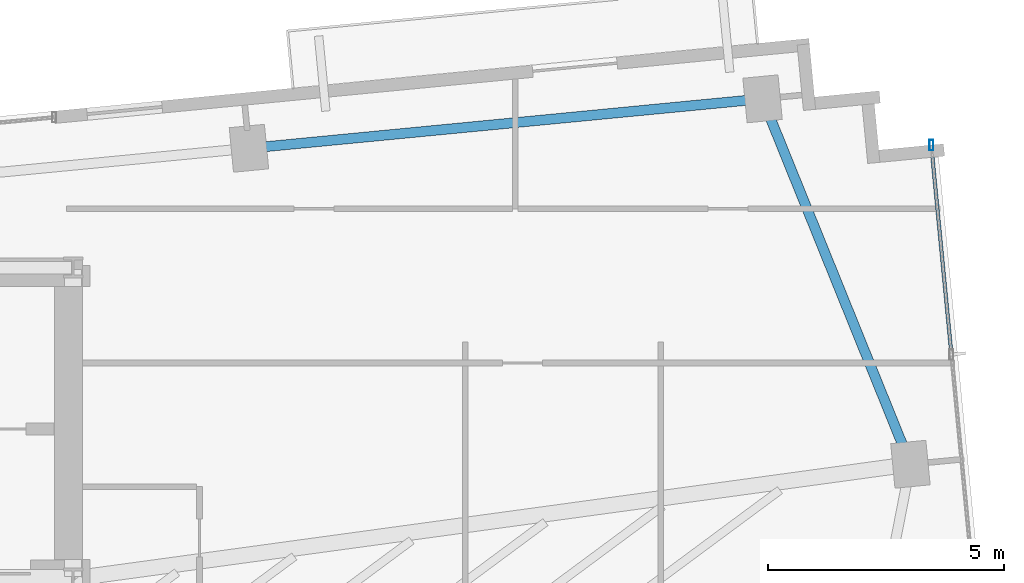
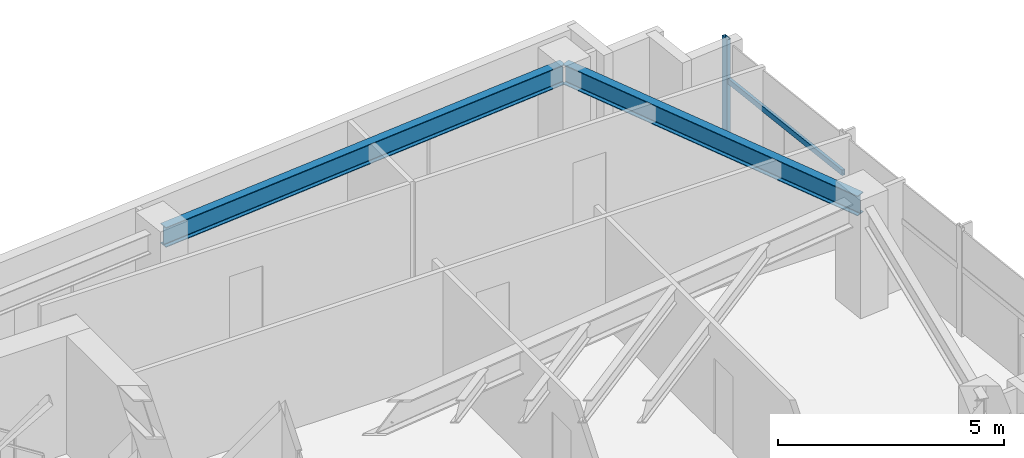
# One storey, part 11 of 18: 2 beams, 2 members, 1 element without a shape of its own.
"""IFC4 building model written with IfcOpenShell, lengths in metres."""

import ifcopenshell
import ifcopenshell.guid

model = None  # the IFC model being written
_history = None  # IfcOwnerHistory: only IFC2X3 demands one
_inside = {}  # id of a spatial element -> (the spatial element, [elements in it])
_under = {}  # id of a project, library or spatial element -> (it, [spatial elements below it])
_declared = {}  # id of a project -> (the project, [libraries it declares])
_typed = {}  # id of a type object -> (the type object, [elements of that type])
_made_of = {}  # id of a material, layer set ... -> (it, [elements and type objects made of it])


def new_model(schema):
    """Start an empty IFC model of exactly this schema.

    Asked for "IFC4X3", IfcOpenShell would pick the latest addendum, in which some entities
    have other attributes; the version numbers below select the first issue.
    IFC2X3 requires an IfcOwnerHistory on every rooted entity: one is made here for all.
    """
    global model, _history
    if schema == "IFC4X3":
        model = ifcopenshell.file(schema_version=(4, 3, 0, 0))
    else:
        model = ifcopenshell.file(schema=schema)
    _inside.clear()
    _under.clear()
    _declared.clear()
    _typed.clear()
    _made_of.clear()
    _history = None
    if model.schema == "IFC2X3":
        org = make("IfcOrganization", Name="unknown")
        user = make(
            "IfcPersonAndOrganization",
            ThePerson=make("IfcPerson", FamilyName="unknown"),
            TheOrganization=org,
        )
        app = make(
            "IfcApplication",
            ApplicationDeveloper=org,
            Version="unknown",
            ApplicationFullName="unknown",
            ApplicationIdentifier="unknown",
        )
        _history = make(
            "IfcOwnerHistory",
            OwningUser=user,
            OwningApplication=app,
            ChangeAction="ADDED",
            CreationDate=0,
        )
    return model


def make(cls, **values):
    """One entity of the class cls with the attributes given. An attribute that is None is left unset."""
    return model.create_entity(
        cls, **{name: value for name, value in values.items() if value is not None}
    )


def rooted(cls, **values):
    """An entity with a GlobalId (a new one), such as an element, a storey or a relation."""
    return make(cls, GlobalId=ifcopenshell.guid.new(), OwnerHistory=_history, **values)


def si_unit(unit_type, name, prefix=None):
    """IfcSIUnit, for example si_unit("LENGTHUNIT", "METRE", prefix="MILLI")."""
    return make("IfcSIUnit", UnitType=unit_type, Prefix=prefix, Name=name)


def assignment(units):
    """IfcUnitAssignment: the units of a project."""
    return None if units is None else make("IfcUnitAssignment", Units=units)


def point(xyz):
    """IfcCartesianPoint."""
    return None if xyz is None else make("IfcCartesianPoint", Coordinates=xyz)


def direction(xyz):
    """IfcDirection."""
    return None if xyz is None else make("IfcDirection", DirectionRatios=xyz)


def frame(location, z_axis=None, x_axis=None):
    """IfcAxis2Placement3D, a coordinate frame: its origin and axes. An axis left out is left unset."""
    return make(
        "IfcAxis2Placement3D",
        Location=point(location),
        Axis=direction(z_axis),
        RefDirection=direction(x_axis),
    )


def frame_2d(location, x_axis=None):
    """IfcAxis2Placement2D, a coordinate frame in the plane: its origin and x axis."""
    return make(
        "IfcAxis2Placement2D", Location=point(location), RefDirection=direction(x_axis)
    )


def origin():
    """The frame at (0, 0, 0) with its axes left unset."""
    return frame((0.0, 0.0, 0.0))


def origin_2d():
    """The frame at (0, 0) in the plane with its x axis left unset."""
    return frame_2d((0.0, 0.0))


def place(relative_to, where):
    """IfcLocalPlacement: puts the frame where relative to a parent placement (None: the world)."""
    return make(
        "IfcLocalPlacement", PlacementRelTo=relative_to, RelativePlacement=where
    )


def context(
    kind, dimensions, precision=None, world=None, true_north=None, identifier=None
):
    """IfcGeometricRepresentationContext, for example the 3D "Model" context."""
    return make(
        "IfcGeometricRepresentationContext",
        ContextIdentifier=identifier,
        ContextType=kind,
        CoordinateSpaceDimension=dimensions,
        Precision=precision,
        WorldCoordinateSystem=world,
        TrueNorth=true_north,
    )


def subcontext(parent, identifier, kind, view, scale=None):
    """IfcGeometricRepresentationSubContext, for example "Body" below "Model"."""
    return make(
        "IfcGeometricRepresentationSubContext",
        ContextIdentifier=identifier,
        ContextType=kind,
        ParentContext=parent,
        TargetScale=scale,
        TargetView=view,
    )


def project(units=None, contexts=None):
    """IfcProject with its units and contexts."""
    return rooted(
        "IfcProject",
        Name="project",
        RepresentationContexts=contexts,
        UnitsInContext=assignment(units),
    )


def spatial(cls, under=None, at=None, **own):
    """A site, building, storey or space (cls), placed at a placement, below another one or the project."""
    s = rooted(cls, ObjectPlacement=at, **own)
    if under is not None:
        _under.setdefault(under.id(), (under, []))[1].append(s)
    return s


def profile(cls, at=None, kind="AREA", **sizes):
    """A parametric profile (cls). Its sizes go by their IFC names, for example OverallWidth=200.0."""
    return make(cls, ProfileType=kind, Position=at, **sizes)


def hollow_rectangle(**sizes):
    """IfcRectangleHollowProfileDef."""
    return profile("IfcRectangleHollowProfileDef", **sizes)


def i_section(**sizes):
    """IfcIShapeProfileDef."""
    return profile("IfcIShapeProfileDef", **sizes)


def extrude(swept, where, along, depth):
    """IfcExtrudedAreaSolid: the profile swept, set in the frame where, extruded along a direction by depth."""
    return make(
        "IfcExtrudedAreaSolid",
        SweptArea=swept,
        Position=where,
        ExtrudedDirection=direction(along),
        Depth=depth,
    )


def shape(context_of_items, identifier, shape_type, items):
    """IfcShapeRepresentation: the items that make up one representation, for example the "Body"."""
    return make(
        "IfcShapeRepresentation",
        ContextOfItems=context_of_items,
        RepresentationIdentifier=identifier,
        RepresentationType=shape_type,
        Items=items,
    )


def source(mapping_origin, context_of_items, identifier, shape_type, items):
    """IfcRepresentationMap: a shape defined once, which mapped items show again and again."""
    return make(
        "IfcRepresentationMap",
        MappingOrigin=mapping_origin,
        MappedRepresentation=shape(context_of_items, identifier, shape_type, items),
    )


def transform(
    local_origin,
    x_axis=None,
    y_axis=None,
    z_axis=None,
    scale=None,
    scale2=None,
    scale3=None,
    uniform=True,
):
    """IfcCartesianTransformationOperator3D, or its non-uniform kind. x_axis, y_axis, z_axis: its Axis1, 2, 3."""
    if uniform:
        return make(
            "IfcCartesianTransformationOperator3D",
            Axis1=direction(x_axis),
            Axis2=direction(y_axis),
            LocalOrigin=point(local_origin),
            Scale=scale,
            Axis3=direction(z_axis),
        )
    return make(
        "IfcCartesianTransformationOperator3DnonUniform",
        Axis1=direction(x_axis),
        Axis2=direction(y_axis),
        LocalOrigin=point(local_origin),
        Scale=scale,
        Axis3=direction(z_axis),
        Scale2=scale2,
        Scale3=scale3,
    )


def mapped(mapping_source, mapping_target):
    """IfcMappedItem: shows the shape of a source again, moved by a transform."""
    return make(
        "IfcMappedItem", MappingSource=mapping_source, MappingTarget=mapping_target
    )


def material(Name=None, Category=None):
    """IfcMaterial."""
    return make("IfcMaterial", Name=Name, Category=Category)


def material_profile(
    of_material, cross_section, Name=None, Category=None, Priority=None
):
    """IfcMaterialProfile: a cross section and its material."""
    return make(
        "IfcMaterialProfile",
        Name=Name,
        Material=of_material,
        Profile=cross_section,
        Priority=Priority,
        Category=Category,
    )


def profile_set(profiles, Name=None, composite=None):
    """IfcMaterialProfileSet."""
    return make(
        "IfcMaterialProfileSet",
        Name=Name,
        MaterialProfiles=profiles,
        CompositeProfile=composite,
    )


def made_of(thing, what):
    """Note that an element or type object is made of a material, layer set ...; save() writes the relation."""
    if what is not None:
        _made_of.setdefault(what.id(), (what, []))[1].append(thing)
    return thing


def type_object(cls, material=None, **own):
    """A type object (cls), such as IfcWallType, which elements share."""
    return made_of(rooted(cls, **own), material)


def type_shapes(of_type, sources):
    """Give a type object the sources (RepresentationMaps) that its elements show as mapped items."""
    of_type.RepresentationMaps = sources


def element(
    cls,
    number,
    at=None,
    inside=None,
    cuts=None,
    type_object=None,
    material=None,
    context=None,
    identifier="Body",
    shape_type=None,
    held_by="IfcProductDefinitionShape",
    body=None,
    shapes=None,
    **own,
):
    """One element of the class cls, such as IfcWall. Its Tag is "e" and its number.

    at: its placement. inside: the storey or other place that contains it. cuts: it is an
    opening in that element (IfcRelVoidsElement). A single representation is given by context,
    identifier, shape_type and body (its items); several are given by shapes. held_by: the class
    of the entity that holds the representations. save() writes the other relations.
    """
    e = rooted(cls, Tag="e%d" % number, ObjectPlacement=at, **own)
    if body is not None:
        shapes = [shape(context, identifier, shape_type, body)]
    if shapes is not None:
        e.Representation = make(held_by, Representations=shapes)
    if inside is not None:
        _inside.setdefault(inside.id(), (inside, []))[1].append(e)
    if cuts is not None:
        rooted(
            "IfcRelVoidsElement", RelatingBuildingElement=cuts, RelatedOpeningElement=e
        )
    if type_object is not None:
        _typed.setdefault(type_object.id(), (type_object, []))[1].append(e)
    return made_of(e, material)


def aggregate(whole, parts):
    """IfcRelAggregates: a whole, such as a stair, and the parts it consists of."""
    return rooted("IfcRelAggregates", RelatingObject=whole, RelatedObjects=parts)


def save(model, path):
    """Write the relations noted so far, then the file.

    IfcRelAggregates (storeys below a building ...), IfcRelContainedInSpatialStructure (elements
    in a storey), IfcRelDefinesByType, IfcRelAssociatesMaterial and IfcRelDeclares: one each for
    every whole, place, type object, material and project.
    """
    for whole, parts in _under.values():
        aggregate(whole, parts)
    for where, things in _inside.values():
        rooted(
            "IfcRelContainedInSpatialStructure",
            RelatedElements=things,
            RelatingStructure=where,
        )
    for kind, things in _typed.values():
        rooted("IfcRelDefinesByType", RelatedObjects=things, RelatingType=kind)
    for what, things in _made_of.values():
        rooted("IfcRelAssociatesMaterial", RelatedObjects=things, RelatingMaterial=what)
    for by, libraries in _declared.values():
        rooted("IfcRelDeclares", RelatingContext=by, RelatedDefinitions=libraries)
    model.write(path)


model = new_model("IFC4")

# Units and contexts
model_context = context("Model", 3, precision=1e-05, world=origin(), true_north=direction((0.0, 1.0)))
body_context = subcontext(model_context, "Body", "Model", "MODEL_VIEW")
ifc_project = project(units=[si_unit("LENGTHUNIT", "METRE"), si_unit("AREAUNIT", "SQUARE_METRE"), si_unit("VOLUMEUNIT", "CUBIC_METRE"), si_unit("PLANEANGLEUNIT", "RADIAN"), si_unit("MASSUNIT", "GRAM", prefix="KILO")], contexts=[model_context])

# Site, building, storey
site_placement = place(None, origin())
site = spatial("IfcSite", under=ifc_project, at=site_placement, CompositionType="ELEMENT")
building_placement = place(site_placement, origin())
building = spatial("IfcBuilding", under=site, at=building_placement, Name="Astriad Promenade Condominiums", CompositionType="ELEMENT")
storey_placement = place(building_placement, frame((0.0, 0.0, 173.0)))
storey = spatial("IfcBuildingStorey", under=building, at=storey_placement, Name="L49", CompositionType="ELEMENT", Elevation=173.0)

# Beams
ifc_material_1 = material(Name="Steel ASTM A992 Grade 50", Category="steel")
ifc_material_profile_1 = material_profile(ifc_material_1, i_section(OverallWidth=0.210693359375, OverallDepth=0.53955078125, WebThickness=0.01171875, FlangeThickness=0.018798828125, FilletRadius=0.0166015625, at=origin_2d()), Name="W21X73")
ifc_profile_set_1 = profile_set([ifc_material_profile_1], Name="Steel ASTM A992 Grade 50")
beam_type = type_object("IfcBeamType", Name="STEEL SPANDREL BEAM W21X73", PredefinedType="SPANDREL", material=ifc_profile_set_1)
shared_shape_1 = source(origin(), body_context, "Body", "SweptSolid", [
    extrude(i_section(OverallWidth=0.210693359375, OverallDepth=0.53955078125, WebThickness=0.01171875, FlangeThickness=0.018798828125, FilletRadius=0.0166015625, at=origin_2d()), origin(), (0.0, 0.0, 1.0), 10.8701171875),
])
beam_1_placement = place(storey_placement, frame((60.190673828125, 27.578369140625, 2.67041015625), z_axis=(-0.995394986184, -0.09585834069, 0.0), x_axis=(0.09585834069, -0.995394986184, 0.0)))
element("IfcBeam", 1, at=beam_1_placement, inside=storey, type_object=beam_type, Name="Perimeter Spandrel Beam SP-N4-L49", PredefinedType="SPANDREL", context=body_context, shape_type="MappedRepresentation", body=[
    mapped(shared_shape_1, transform((0.0, 0.0, 0.0), scale=1.0)),
])
shared_shape_2 = source(origin(), body_context, "Body", "SweptSolid", [
    extrude(i_section(OverallWidth=0.210693359375, OverallDepth=0.53955078125, WebThickness=0.01171875, FlangeThickness=0.018798828125, FilletRadius=0.0166015625, at=origin_2d()), origin(), (0.0, 0.0, 1.0), 8.28564453125),
])
type_shapes(beam_type, [shared_shape_1, shared_shape_2])
beam_2_placement = place(storey_placement, frame((63.353271484375, 19.8642578125, 2.67041015625), z_axis=(-0.375070987134, 0.926996092014, 0.0), x_axis=(-0.926996092014, -0.375070987134, 0.0)))
element("IfcBeam", 2, at=beam_2_placement, inside=storey, type_object=beam_type, Name="Perimeter Spandrel Beam SP-E2-L49", PredefinedType="SPANDREL", context=body_context, shape_type="MappedRepresentation", body=[
    mapped(shared_shape_2, transform((0.0, 0.0, 0.0), scale=1.0)),
])

# Curtain wall, members
ifc_material_2 = material(Name="Anodised aluminium Black Dark Glass Unitised", Category="aluminium")
curtain_wall_type = type_object("IfcCurtainWallType", Name="CW-B34-DARK", PredefinedType="USERDEFINED", material=ifc_material_2)
curtain_wall_placement = place(storey_placement, origin())
curtain_wall = element("IfcCurtainWall", 3, at=curtain_wall_placement, inside=storey, type_object=curtain_wall_type, Name="CW-L49-E", ObjectType="UNITISED_CURTAIN_WALL", PredefinedType="USERDEFINED")
ifc_material_3 = material(Name="Anodised aluminium 6063-T6 Black", Category="aluminium")
ifc_material_profile_2 = material_profile(ifc_material_3, hollow_rectangle(XDim=0.0849609375, YDim=0.219970703125, WallThickness=0.0048828125, at=origin_2d()), Name="ALU-MUL-85X220")
ifc_profile_set_2 = profile_set([ifc_material_profile_2], Name="Anodised aluminium 6063-T6 Black")
member_type_1 = type_object("IfcMemberType", Name="MUL-ALU-MUL-85X220", PredefinedType="MULLION", material=ifc_profile_set_2)
shared_shape_3 = source(origin(), body_context, "Body", "SweptSolid", [
    extrude(hollow_rectangle(XDim=0.0849609375, YDim=0.219970703125, WallThickness=0.0048828125, at=origin_2d()), origin(), (0.0, 0.0, 1.0), 2.93994140625),
])
type_shapes(member_type_1, [shared_shape_3])
member_1_placement = place(storey_placement, frame((63.81103515625, 26.6005859375, 0.0), z_axis=(0.0, 0.0, 1.0), x_axis=(1.0, 0.0, 0.0)))
member_1 = element("IfcMember", 4, at=member_1_placement, type_object=member_type_1, Name="CW-L49-E-MUL-00", PredefinedType="MULLION", context=body_context, shape_type="MappedRepresentation", body=[
    mapped(shared_shape_3, transform((0.0, 0.0, 0.0), scale=1.0)),
])
ifc_material_profile_3 = material_profile(ifc_material_3, hollow_rectangle(XDim=0.074951171875, YDim=0.14990234375, WallThickness=0.004150390625, at=origin_2d()), Name="ALU-TRN-75X150")
ifc_profile_set_3 = profile_set([ifc_material_profile_3], Name="Anodised aluminium 6063-T6 Black")
member_type_2 = type_object("IfcMemberType", Name="TRN-ALU-TRN-75X150", PredefinedType="USERDEFINED", material=ifc_profile_set_3)
shared_shape_4 = source(origin(), body_context, "Body", "SweptSolid", [
    extrude(hollow_rectangle(XDim=0.074951171875, YDim=0.14990234375, WallThickness=0.004150390625, at=origin_2d()), origin(), (0.0, 0.0, 1.0), 4.466552734375),
])
type_shapes(member_type_2, [shared_shape_4])
member_2_placement = place(storey_placement, frame((63.81103515625, 26.6005859375, 1.82275390625), z_axis=(0.095817598554, -0.995398908884, 0.0), x_axis=(0.995398908884, 0.095817598554, 0.0)))
member_2 = element("IfcMember", 5, at=member_2_placement, type_object=member_type_2, Name="CW-L49-E-TRN-00-0", ObjectType="TRANSOM", PredefinedType="USERDEFINED", context=body_context, shape_type="MappedRepresentation", body=[
    mapped(shared_shape_4, transform((0.0, 0.0, 0.0), scale=1.0)),
])
aggregate(curtain_wall, [member_1, member_2])

save(model, "model.ifc")
